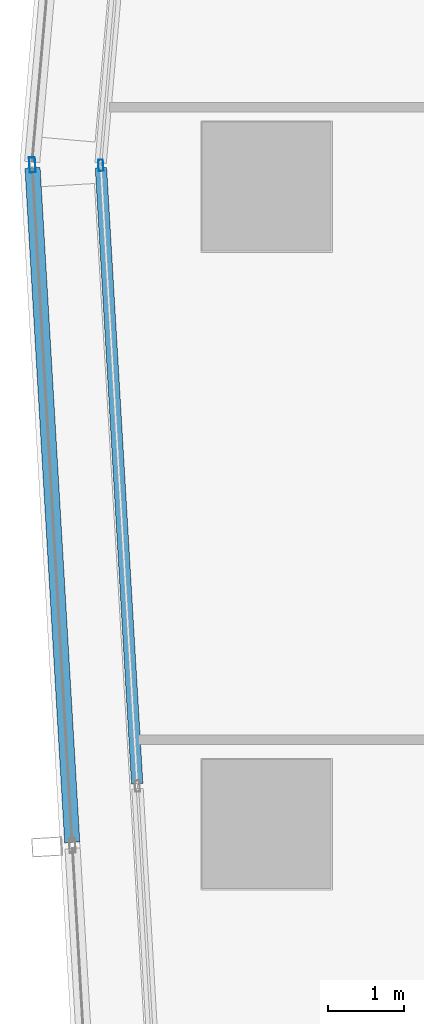
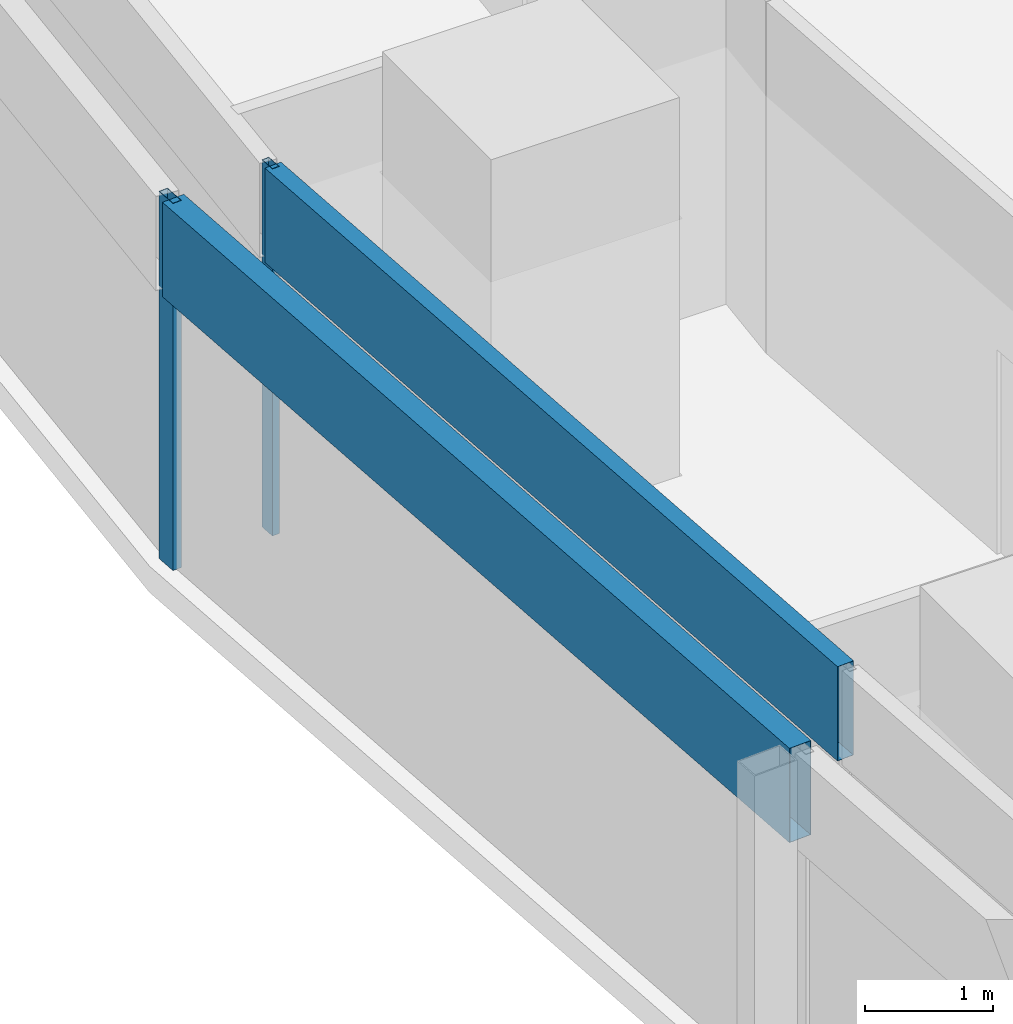
# One storey, part 9 of 39: 4 members, 2 elements without a shape of their own.
"""IFC4 building model written with IfcOpenShell, lengths in metres."""

from ifc_helpers import new_model, si_unit, direction, frame, origin, origin_2d, place, context, subcontext, project, spatial, hollow_rectangle, extrude, material, material_profile, profile_set, type_object, element, aggregate, save


model = new_model("IFC4")

# Units and contexts
model_context = context("Model", 3, precision=1e-05, world=origin(), true_north=direction((0.0, 1.0)))
body_context = subcontext(model_context, "Body", "Model", "MODEL_VIEW")
ifc_project = project(units=[si_unit("LENGTHUNIT", "METRE"), si_unit("AREAUNIT", "SQUARE_METRE"), si_unit("VOLUMEUNIT", "CUBIC_METRE"), si_unit("PLANEANGLEUNIT", "RADIAN"), si_unit("MASSUNIT", "GRAM", prefix="KILO")], contexts=[model_context])

# Site, building, storey
site_placement = place(None, origin())
site = spatial("IfcSite", under=ifc_project, at=site_placement, CompositionType="ELEMENT")
building_placement = place(site_placement, origin())
building = spatial("IfcBuilding", under=site, at=building_placement, Name="Rekha Terrace Tower", CompositionType="ELEMENT")
storey_placement = place(building_placement, frame((0.0, 0.0, 183.949951171875)))
storey = spatial("IfcBuildingStorey", under=building, at=storey_placement, Name="L46", CompositionType="ELEMENT", Elevation=183.949951171875)

# Curtain wall, members
ifc_material_1 = material(Name="Aluminium framing", Category="aluminium")
curtain_wall_type_1 = type_object("IfcCurtainWallType", Name="CW1 double skin inner glazing", PredefinedType="USERDEFINED", material=ifc_material_1)
curtain_wall_1_placement = place(storey_placement, origin())
curtain_wall_1 = element("IfcCurtainWall", 1, at=curtain_wall_1_placement, inside=storey, type_object=curtain_wall_type_1, Name="CW1 double skin inner glazing", ObjectType="DOUBLE SKIN INNER GLAZING", PredefinedType="USERDEFINED")
ifc_material_2 = material(Name="Aluminium mullion section", Category="aluminium")
ifc_material_profile_1 = material_profile(ifc_material_2, hollow_rectangle(XDim=0.06494140625, YDim=0.14990234375, WallThickness=0.00390625, at=origin_2d()), Name="AL RHS 65x150")
ifc_profile_set_1 = profile_set([ifc_material_profile_1], Name="Aluminium mullion section")
member_type_1 = type_object("IfcMemberType", Name="CW1 mullion RHS 65 x 150", PredefinedType="MULLION", material=ifc_profile_set_1)
member_1_placement = place(storey_placement, frame((6.214599609375, 42.281982421875, 0.0), z_axis=(0.0, 0.0, 1.0), x_axis=(0.998271839267, 0.058765082551, 0.0)))
member_1 = element("IfcMember", 2, at=member_1_placement, type_object=member_type_1, Name="CW1 mullion 1", PredefinedType="MULLION", context=body_context, shape_type="SweptSolid", body=[
    extrude(hollow_rectangle(XDim=0.06494140625, YDim=0.14990234375, WallThickness=0.00390625, at=origin_2d()), origin(), (0.0, 0.0, 1.0), 3.5),
])
ifc_material_3 = material(Name="Insulated aluminium spandrel box", Category="aluminium")
ifc_material_profile_2 = material_profile(ifc_material_3, hollow_rectangle(XDim=0.14990234375, YDim=0.89990234375, WallThickness=0.0029296875, at=origin_2d()), Name="AL SPANDREL BOX 150x900")
ifc_profile_set_2 = profile_set([ifc_material_profile_2], Name="Insulated aluminium spandrel box")
member_type_2 = type_object("IfcMemberType", Name="CW1 spandrel transom 150 x 900", PredefinedType="USERDEFINED", material=ifc_profile_set_2)
member_2_placement = place(storey_placement, frame((6.216552734375, 42.24951171875, 3.050048828125), z_axis=(0.058771314685, -0.998271472381, 0.0), x_axis=(0.998271472381, 0.058771314685, 0.0)))
member_2 = element("IfcMember", 3, at=member_2_placement, type_object=member_type_2, Name="CW1 spandrel transom 1", ObjectType="TRANSOM", PredefinedType="USERDEFINED", context=body_context, shape_type="SweptSolid", body=[
    extrude(hollow_rectangle(XDim=0.14990234375, YDim=0.89990234375, WallThickness=0.0029296875, at=origin_2d()), origin(), (0.0, 0.0, 1.0), 8.129638671875),
])
aggregate(curtain_wall_1, [member_1, member_2])

curtain_wall_type_2 = type_object("IfcCurtainWallType", Name="CW2 double skin outer glazing", PredefinedType="USERDEFINED", material=ifc_material_1)
curtain_wall_2_placement = place(storey_placement, origin())
curtain_wall_2 = element("IfcCurtainWall", 4, at=curtain_wall_2_placement, inside=storey, type_object=curtain_wall_type_2, Name="CW2 double skin outer glazing", ObjectType="DOUBLE SKIN OUTER GLAZING", PredefinedType="USERDEFINED")
ifc_material_profile_3 = material_profile(ifc_material_2, hollow_rectangle(XDim=0.080078125, YDim=0.199951171875, WallThickness=0.00390625, at=origin_2d()), Name="AL RHS 80x200")
ifc_profile_set_3 = profile_set([ifc_material_profile_3], Name="Aluminium mullion section")
member_type_3 = type_object("IfcMemberType", Name="CW2 mullion RHS 80 x 200", PredefinedType="MULLION", material=ifc_profile_set_3)
member_3_placement = place(storey_placement, frame((5.312744140625, 42.287841796875, 0.0), z_axis=(0.0, 0.0, 1.0), x_axis=(0.99827183927, 0.058765082499, 0.0)))
member_3 = element("IfcMember", 5, at=member_3_placement, type_object=member_type_3, Name="CW2 mullion 1", PredefinedType="MULLION", context=body_context, shape_type="SweptSolid", body=[
    extrude(hollow_rectangle(XDim=0.080078125, YDim=0.199951171875, WallThickness=0.00390625, at=origin_2d()), origin(), (0.0, 0.0, 1.0), 3.5),
])
ifc_material_profile_4 = material_profile(ifc_material_3, hollow_rectangle(XDim=0.199951171875, YDim=0.89990234375, WallThickness=0.0029296875, at=origin_2d()), Name="AL SPANDREL BOX 200x900")
ifc_profile_set_4 = profile_set([ifc_material_profile_4], Name="Insulated aluminium spandrel box")
member_type_4 = type_object("IfcMemberType", Name="CW2 spandrel transom 200 x 900", PredefinedType="USERDEFINED", material=ifc_profile_set_4)
member_4_placement = place(storey_placement, frame((5.315185546875, 42.247802734375, 3.050048828125), z_axis=(0.058762207171, -0.998272008527, 0.0), x_axis=(0.998272008527, 0.058762207171, 0.0)))
member_4 = element("IfcMember", 6, at=member_4_placement, type_object=member_type_4, Name="CW2 spandrel transom 1", ObjectType="TRANSOM", PredefinedType="USERDEFINED", context=body_context, shape_type="SweptSolid", body=[
    extrude(hollow_rectangle(XDim=0.199951171875, YDim=0.89990234375, WallThickness=0.0029296875, at=origin_2d()), origin(), (0.0, 0.0, 1.0), 8.903564453125),
])
aggregate(curtain_wall_2, [member_3, member_4])

save(model, "model.ifc")
